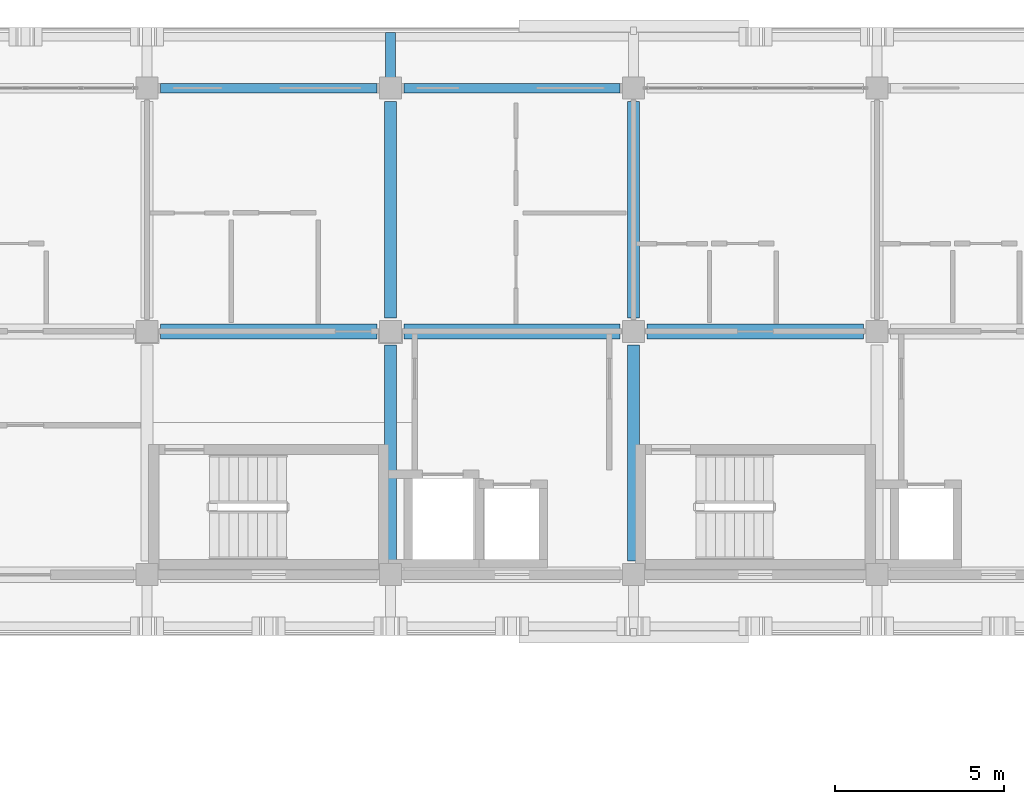
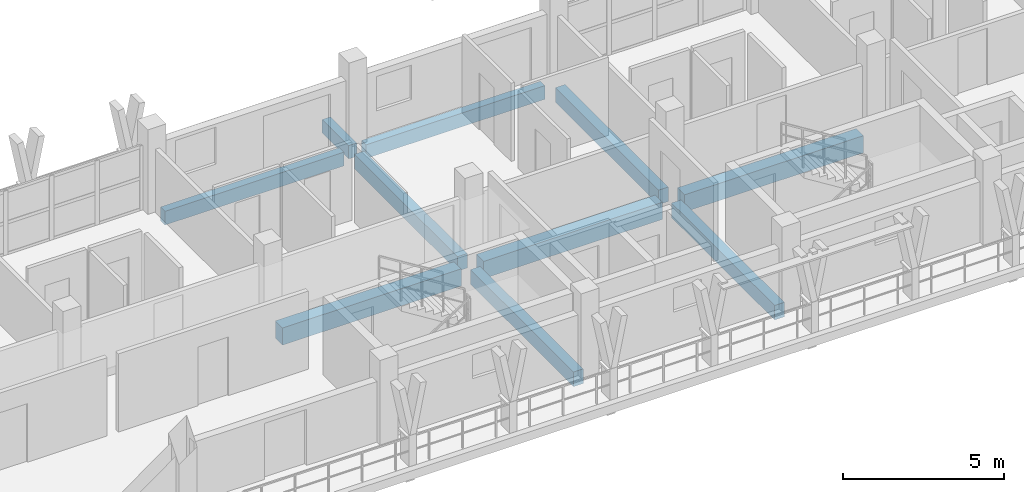
# One storey, part 36 of 157: 10 beams.
"""IFC4 building model written with IfcOpenShell, lengths in metres."""

from ifc_helpers import new_model, si_unit, direction, frame, origin, origin_2d, place, context, subcontext, project, spatial, rectangle, extrude, material, material_profile, profile_set, type_object, element, save


model = new_model("IFC4")

# Units and contexts
model_context = context("Model", 3, precision=1e-05, world=origin(), true_north=direction((0.0, 1.0)))
body_context = subcontext(model_context, "Body", "Model", "MODEL_VIEW")
ifc_project = project(units=[si_unit("LENGTHUNIT", "METRE"), si_unit("AREAUNIT", "SQUARE_METRE"), si_unit("VOLUMEUNIT", "CUBIC_METRE"), si_unit("PLANEANGLEUNIT", "RADIAN"), si_unit("MASSUNIT", "GRAM", prefix="KILO")], contexts=[model_context])

# Site, building, storey
site_placement = place(None, origin())
site = spatial("IfcSite", under=ifc_project, at=site_placement, CompositionType="ELEMENT")
building_placement = place(site_placement, origin())
building = spatial("IfcBuilding", under=site, at=building_placement, Name="Suanplinth Sawtooth Commons", CompositionType="ELEMENT")
storey_placement = place(building_placement, frame((0.0, 0.0, 9.0)))
storey = spatial("IfcBuildingStorey", under=building, at=storey_placement, Name="L02", CompositionType="ELEMENT", Elevation=9.0)

# Beams
ifc_material = material(Name="Precast concrete C40/50", Category="concrete")
ifc_material_profile_1 = material_profile(ifc_material, rectangle(XDim=0.449951171875, YDim=0.64990234375, at=origin_2d()), Name="PC-GDR 450x650")
ifc_profile_set_1 = profile_set([ifc_material_profile_1], Name="Precast concrete C40/50")
beam_type_1 = type_object("IfcBeamType", Name="B-04", PredefinedType="USERDEFINED", material=ifc_profile_set_1)
for number, where, z_axis, x_axis, name in (
    (1, (43.60009765625, 115.199951171875, -0.574951171875), (1.0, 0.0, 0.0), (0.0, 1.0, 0.0), "BMX-L02-A-6-16"),
    (2, (50.800048828125, 115.199951171875, -0.574951171875), (1.0, 0.0, 0.0), (0.0, 1.0, 0.0), "BMX-L02-A-7-16"),
    (3, (58.0, 115.199951171875, -0.574951171875), (1.0, 0.0, 0.0), (0.0, 1.0, 0.0), "BMX-L02-A-8-16"),
):
    element("IfcBeam", number, at=place(storey_placement, frame(where, z_axis=z_axis, x_axis=x_axis)), inside=storey, type_object=beam_type_1, Name=name, ObjectType="GIRDER", PredefinedType="USERDEFINED", context=body_context, shape_type="SweptSolid", body=[
        extrude(rectangle(XDim=0.449951171875, YDim=0.64990234375, at=origin_2d()), origin(), (0.0, 0.0, 1.0), 6.39990234375),
    ])
ifc_material_profile_2 = material_profile(ifc_material, rectangle(XDim=0.35009765625, YDim=0.550048828125, at=origin_2d()), Name="PC-BM 350x550")
ifc_profile_set_2 = profile_set([ifc_material_profile_2], Name="Precast concrete C40/50")
beam_type_2 = type_object("IfcBeamType", Name="B-06", PredefinedType="BEAM", material=ifc_profile_set_2)
beam_1_placement = place(storey_placement, frame((50.39990234375, 108.39990234375, -0.52490234375), z_axis=(0.0, 1.0, 0.0), x_axis=(-1.0, 0.0, 0.0)))
element("IfcBeam", 4, at=beam_1_placement, inside=storey, type_object=beam_type_2, Name="BMY-L02-A-7-15", PredefinedType="BEAM", context=body_context, shape_type="SweptSolid", body=[
    extrude(rectangle(XDim=0.35009765625, YDim=0.550048828125, at=origin_2d()), origin(), (0.0, 0.0, 1.0), 6.400146484375),
])
beam_2_placement = place(storey_placement, frame((50.39990234375, 115.60009765625, -0.52490234375), z_axis=(0.0, 1.0, 0.0), x_axis=(-1.0, 0.0, 0.0)))
element("IfcBeam", 5, at=beam_2_placement, inside=storey, type_object=beam_type_2, Name="BMY-L02-A-7-16", PredefinedType="BEAM", context=body_context, shape_type="SweptSolid", body=[
    extrude(rectangle(XDim=0.35009765625, YDim=0.550048828125, at=origin_2d()), origin(), (0.0, 0.0, 1.0), 6.39990234375),
])
beam_3_placement = place(storey_placement, frame((57.60009765625, 108.39990234375, -0.52490234375), z_axis=(0.0, 1.0, 0.0), x_axis=(-1.0, 0.0, 0.0)))
element("IfcBeam", 6, at=beam_3_placement, inside=storey, type_object=beam_type_2, Name="BMY-L02-A-8-15", PredefinedType="BEAM", context=body_context, shape_type="SweptSolid", body=[
    extrude(rectangle(XDim=0.35009765625, YDim=0.550048828125, at=origin_2d()), origin(), (0.0, 0.0, 1.0), 6.400146484375),
])
beam_4_placement = place(storey_placement, frame((57.60009765625, 115.60009765625, -0.52490234375), z_axis=(0.0, 1.0, 0.0), x_axis=(-1.0, 0.0, 0.0)))
element("IfcBeam", 7, at=beam_4_placement, inside=storey, type_object=beam_type_2, Name="BMY-L02-A-8-16", PredefinedType="BEAM", context=body_context, shape_type="SweptSolid", body=[
    extrude(rectangle(XDim=0.35009765625, YDim=0.550048828125, at=origin_2d()), origin(), (0.0, 0.0, 1.0), 6.39990234375),
])
ifc_material_profile_3 = material_profile(ifc_material, rectangle(XDim=0.300048828125, YDim=0.5, at=origin_2d()), Name="PC-BM 300x500")
ifc_profile_set_3 = profile_set([ifc_material_profile_3], Name="Precast concrete C40/50")
beam_type_3 = type_object("IfcBeamType", Name="B-07", PredefinedType="BEAM", material=ifc_profile_set_3)
beam_5_placement = place(storey_placement, frame((50.39990234375, 122.39990234375, -0.429931640625), z_axis=(0.0, 1.0, 0.0), x_axis=(-1.0, 0.0, 0.0)))
element("IfcBeam", 8, at=beam_5_placement, inside=storey, type_object=beam_type_3, Name="Balcony Outrigger L02-A-N-7", PredefinedType="BEAM", context=body_context, shape_type="SweptSolid", body=[
    extrude(rectangle(XDim=0.300048828125, YDim=0.5, at=origin_2d()), origin(), (0.0, 0.0, 1.0), 1.64013671875),
])
ifc_material_profile_4 = material_profile(ifc_material, rectangle(XDim=0.280029296875, YDim=0.52001953125, at=origin_2d()), Name="PC-SP 280x520")
ifc_profile_set_4 = profile_set([ifc_material_profile_4], Name="Precast concrete C40/50")
beam_type_4 = type_object("IfcBeamType", Name="B-08", PredefinedType="SPANDREL", material=ifc_profile_set_4)
for number, where, z_axis, x_axis, name in (
    (9, (43.60009765625, 122.39990234375, -0.510009765625), (1.0, 0.0, 0.0), (0.0, 1.0, 0.0), "BMX-L02-A-6-17"),
    (10, (50.800048828125, 122.39990234375, -0.510009765625), (1.0, 0.0, 0.0), (0.0, 1.0, 0.0), "BMX-L02-A-7-17"),
):
    element("IfcBeam", number, at=place(storey_placement, frame(where, z_axis=z_axis, x_axis=x_axis)), inside=storey, type_object=beam_type_4, Name=name, PredefinedType="SPANDREL", context=body_context, shape_type="SweptSolid", body=[
        extrude(rectangle(XDim=0.280029296875, YDim=0.52001953125, at=origin_2d()), origin(), (0.0, 0.0, 1.0), 6.39990234375),
    ])

save(model, "model.ifc")
